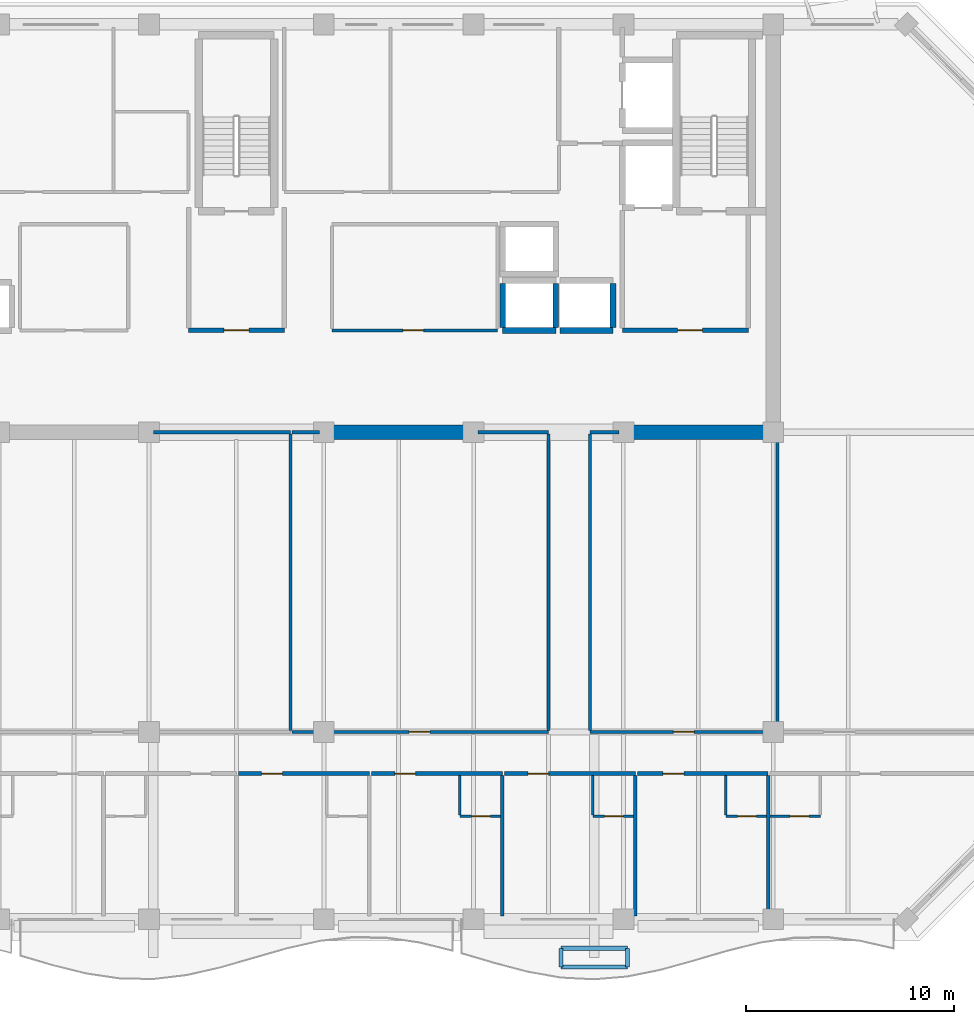
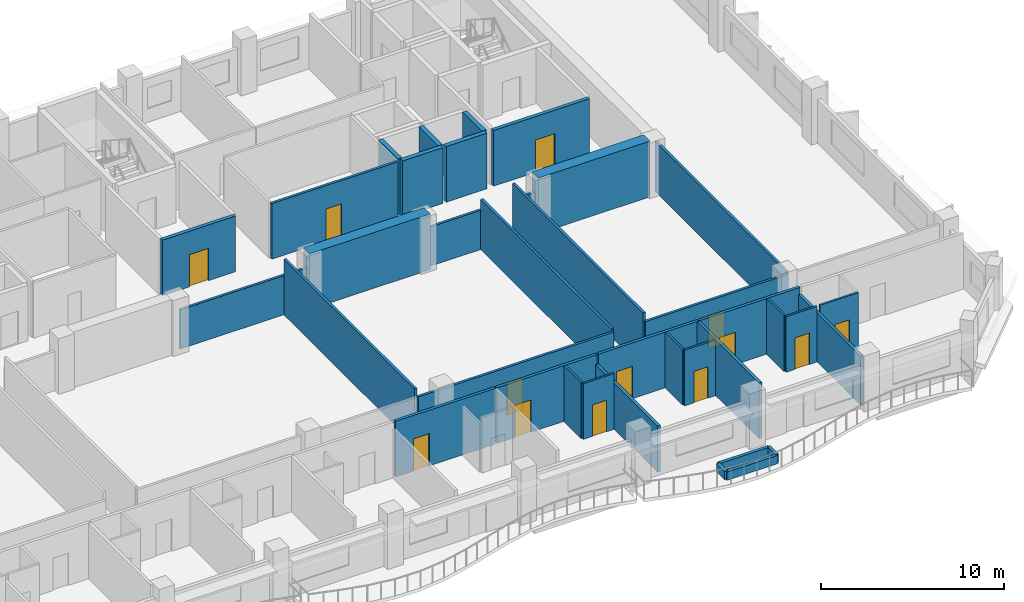
# One storey, part 5 of 11: 38 walls, 13 doors, 13 openings.
"""IFC4 building model written with IfcOpenShell, lengths in metres."""

from ifc_helpers import new_model, si_unit, direction, frame, frame_2d, origin, place, context, subcontext, project, spatial, rectangle, extrude, material, layer, layer_set, type_object, element, fill, save


model = new_model("IFC4")

# Units and contexts
model_context = context("Model", 3, precision=1e-05, world=origin(), true_north=direction((0.0, 1.0)))
body_context = subcontext(model_context, "Body", "Model", "MODEL_VIEW")
ifc_project = project(units=[si_unit("LENGTHUNIT", "METRE"), si_unit("AREAUNIT", "SQUARE_METRE"), si_unit("VOLUMEUNIT", "CUBIC_METRE"), si_unit("PLANEANGLEUNIT", "RADIAN"), si_unit("MASSUNIT", "GRAM", prefix="KILO")], contexts=[model_context])

# Site, building, storey
site_placement = place(None, origin())
site = spatial("IfcSite", under=ifc_project, at=site_placement, CompositionType="ELEMENT")
building_placement = place(site_placement, origin())
building = spatial("IfcBuilding", under=site, at=building_placement, Name="Kaelvorn Grand Hotel", CompositionType="ELEMENT")
storey_placement = place(building_placement, frame((0.0, 0.0, 241.0)))
storey = spatial("IfcBuildingStorey", under=building, at=storey_placement, Name="L59", CompositionType="ELEMENT", Elevation=241.0)

# Walls
ifc_material_1 = material(Name="Concrete C50/60", Category="concrete")
ifc_layer_1 = layer(ifc_material_1, 0.699951171875)
ifc_layer_set_1 = layer_set([ifc_layer_1], Name="Concrete C50/60")
wall_type_1 = type_object("IfcWallType", Name="WL-CORE-700-C50", PredefinedType="SHEAR", material=ifc_layer_set_1)
wall_1_placement = place(storey_placement, frame((46.0, 29.39990234375, 0.0), z_axis=(0.0, 0.0, 1.0), x_axis=(1.0, 0.0, 0.0)))
element("IfcWall", 1, at=wall_1_placement, inside=storey, type_object=wall_type_1, Name="L59 Rear-Core Coupled Shear Pier S3", PredefinedType="SHEAR", context=body_context, shape_type="SweptSolid", body=[
    extrude(rectangle(XDim=7.60009765625, YDim=0.699951171875, at=frame_2d((3.800048828125, 0.0))), origin(), (0.0, 0.0, 1.0), 3.7099609375),
])
wall_2_placement = place(storey_placement, frame((60.39990234375, 29.39990234375, 0.0), z_axis=(0.0, 0.0, 1.0), x_axis=(1.0, 0.0, 0.0)))
element("IfcWall", 2, at=wall_2_placement, inside=storey, type_object=wall_type_1, Name="L59 Rear-Core Coupled Shear Pier S4", PredefinedType="SHEAR", context=body_context, shape_type="SweptSolid", body=[
    extrude(rectangle(XDim=7.045166015625, YDim=0.699951171875, at=frame_2d((3.5224609375, 0.0))), origin(), (0.0, 0.0, 1.0), 3.7099609375),
])

# Wall, opening, door
ifc_material_2 = material(Name="Moisture-Resistant Tile & Stud Board")
ifc_layer_2 = layer(ifc_material_2, 0.125)
ifc_layer_set_2 = layer_set([ifc_layer_2], Name="Moisture-Resistant Tile & Stud Board")
wall_type_2 = type_object("IfcWallType", Name="WL-PART-125-WET", PredefinedType="PARTITIONING", material=ifc_layer_set_2)
wall_3_placement = place(storey_placement, frame((52.739990234375, 10.949951171875, 0.0), z_axis=(0.0, 0.0, 1.0), x_axis=(1.0, 0.0, 0.0)))
wall_3 = element("IfcWall", 3, at=wall_3_placement, inside=storey, type_object=wall_type_2, Name="L59 En-suite Bathroom L59-07 S Partition", PredefinedType="PARTITIONING", context=body_context, shape_type="SweptSolid", body=[
    extrude(rectangle(XDim=1.945068359375, YDim=0.125, at=frame_2d((0.97265625, 0.0))), origin(), (0.0, 0.0, 1.0), 3.7099609375),
])
opening_1_placement = place(wall_3_placement, frame((0.570068359375, 0.0, 0.0)))
opening_1 = element("IfcOpeningElement", 4, at=opening_1_placement, cuts=wall_3, Name="Opening DI4", PredefinedType="OPENING", context=body_context, shape_type="SweptSolid", body=[
    extrude(rectangle(XDim=0.89990234375, YDim=2.10009765625, at=frame_2d((0.449951171875, 1.050048828125))), frame((0.0, 0.072509765625, 0.0), z_axis=(0.0, -1.0, 0.0), x_axis=(1.0, 0.0, 0.0)), (0.0, 0.0, 1.0), 0.14501953125),
])
ifc_material_3 = material(Name="Timber Veneer Leaf", Category="wood")
door_type_1 = type_object("IfcDoorType", Name="DR-INT-BATH-900x2100", OperationType="NOTDEFINED", PredefinedType="DOOR", material=ifc_material_3)
door_1_placement = place(opening_1_placement, origin())
door_1 = element("IfcDoor", 5, at=door_1_placement, inside=storey, type_object=door_type_1, Name="L59 En-suite Bathroom L59-07 Door", OperationType="SINGLE_SWING_RIGHT", OverallHeight=2.10009765625, OverallWidth=0.89990234375, PredefinedType="DOOR", context=body_context, shape_type="SweptSolid", body=[
    extrude(rectangle(XDim=0.89990234375, YDim=2.10009765625, at=frame_2d((0.449951171875, 1.050048828125))), frame((0.0, 0.02490234375, 0.0), z_axis=(0.0, -1.0, 0.0), x_axis=(1.0, 0.0, 0.0)), (0.0, 0.0, 1.0), 0.050048828125),
])
fill(opening_1, door_1)

# Wall
wall_4_placement = place(storey_placement, frame((52.739990234375, 11.017578125, 0.0), z_axis=(0.0, 0.0, 1.0), x_axis=(0.0, 1.0, 0.0)))
element("IfcWall", 6, at=wall_4_placement, inside=storey, type_object=wall_type_2, Name="L59 En-suite Bathroom L59-07 W Partition", PredefinedType="PARTITIONING", context=body_context, shape_type="SweptSolid", body=[
    extrude(rectangle(XDim=1.887451171875, YDim=0.125, at=frame_2d((0.94384765625, 0.0))), origin(), (0.0, 0.0, 1.0), 3.7099609375),
])

# Wall, opening, door
wall_5_placement = place(storey_placement, frame((59.1298828125, 10.949951171875, 0.0), z_axis=(0.0, 0.0, 1.0), x_axis=(1.0, 0.0, 0.0)))
wall_5 = element("IfcWall", 7, at=wall_5_placement, inside=storey, type_object=wall_type_2, Name="L59 En-suite Bathroom L59-08 S Partition", PredefinedType="PARTITIONING", context=body_context, shape_type="SweptSolid", body=[
    extrude(rectangle(XDim=1.945068359375, YDim=0.125, at=frame_2d((0.97265625, 0.0))), origin(), (0.0, 0.0, 1.0), 3.7099609375),
])
opening_2_placement = place(wall_5_placement, frame((0.570068359375, 0.0, 0.0)))
opening_2 = element("IfcOpeningElement", 8, at=opening_2_placement, cuts=wall_5, Name="Opening DI4", PredefinedType="OPENING", context=body_context, shape_type="SweptSolid", body=[
    extrude(rectangle(XDim=0.89990234375, YDim=2.10009765625, at=frame_2d((0.449951171875, 1.050048828125))), frame((0.0, 0.072509765625, 0.0), z_axis=(0.0, -1.0, 0.0), x_axis=(1.0, 0.0, 0.0)), (0.0, 0.0, 1.0), 0.14501953125),
])
door_2_placement = place(opening_2_placement, origin())
door_2 = element("IfcDoor", 9, at=door_2_placement, inside=storey, type_object=door_type_1, Name="L59 En-suite Bathroom L59-08 Door", OperationType="SINGLE_SWING_RIGHT", OverallHeight=2.10009765625, OverallWidth=0.89990234375, PredefinedType="DOOR", context=body_context, shape_type="SweptSolid", body=[
    extrude(rectangle(XDim=0.89990234375, YDim=2.10009765625, at=frame_2d((0.449951171875, 1.050048828125))), frame((0.0, 0.02490234375, 0.0), z_axis=(0.0, -1.0, 0.0), x_axis=(1.0, 0.0, 0.0)), (0.0, 0.0, 1.0), 0.050048828125),
])
fill(opening_2, door_2)

# Wall
wall_6_placement = place(storey_placement, frame((59.1298828125, 11.017578125, 0.0), z_axis=(0.0, 0.0, 1.0), x_axis=(0.0, 1.0, 0.0)))
element("IfcWall", 10, at=wall_6_placement, inside=storey, type_object=wall_type_2, Name="L59 En-suite Bathroom L59-08 W Partition", PredefinedType="PARTITIONING", context=body_context, shape_type="SweptSolid", body=[
    extrude(rectangle(XDim=1.887451171875, YDim=0.125, at=frame_2d((0.94384765625, 0.0))), origin(), (0.0, 0.0, 1.0), 3.7099609375),
])

# Wall, opening, door
wall_7_placement = place(storey_placement, frame((65.52001953125, 10.949951171875, 0.0), z_axis=(0.0, 0.0, 1.0), x_axis=(1.0, 0.0, 0.0)))
wall_7 = element("IfcWall", 11, at=wall_7_placement, inside=storey, type_object=wall_type_2, Name="L59 En-suite Bathroom L59-09 S Partition", PredefinedType="PARTITIONING", context=body_context, shape_type="SweptSolid", body=[
    extrude(rectangle(XDim=1.945068359375, YDim=0.125, at=frame_2d((0.97265625, 0.0))), origin(), (0.0, 0.0, 1.0), 3.7099609375),
])
opening_3_placement = place(wall_7_placement, frame((0.570068359375, 0.0, 0.0)))
opening_3 = element("IfcOpeningElement", 12, at=opening_3_placement, cuts=wall_7, Name="Opening DI4", PredefinedType="OPENING", context=body_context, shape_type="SweptSolid", body=[
    extrude(rectangle(XDim=0.89990234375, YDim=2.10009765625, at=frame_2d((0.449951171875, 1.050048828125))), frame((0.0, 0.072509765625, 0.0), z_axis=(0.0, -1.0, 0.0), x_axis=(1.0, 0.0, 0.0)), (0.0, 0.0, 1.0), 0.14501953125),
])
door_3_placement = place(opening_3_placement, origin())
door_3 = element("IfcDoor", 13, at=door_3_placement, inside=storey, type_object=door_type_1, Name="L59 En-suite Bathroom L59-09 Door", OperationType="SINGLE_SWING_RIGHT", OverallHeight=2.10009765625, OverallWidth=0.89990234375, PredefinedType="DOOR", context=body_context, shape_type="SweptSolid", body=[
    extrude(rectangle(XDim=0.89990234375, YDim=2.10009765625, at=frame_2d((0.449951171875, 1.050048828125))), frame((0.0, 0.02490234375, 0.0), z_axis=(0.0, -1.0, 0.0), x_axis=(1.0, 0.0, 0.0)), (0.0, 0.0, 1.0), 0.050048828125),
])
fill(opening_3, door_3)

# Wall
wall_8_placement = place(storey_placement, frame((65.52001953125, 11.017578125, 0.0), z_axis=(0.0, 0.0, 1.0), x_axis=(0.0, 1.0, 0.0)))
element("IfcWall", 14, at=wall_8_placement, inside=storey, type_object=wall_type_2, Name="L59 En-suite Bathroom L59-09 W Partition", PredefinedType="PARTITIONING", context=body_context, shape_type="SweptSolid", body=[
    extrude(rectangle(XDim=1.887451171875, YDim=0.125, at=frame_2d((0.94384765625, 0.0))), origin(), (0.0, 0.0, 1.0), 3.7099609375),
])

# Wall, opening, door
wall_9_placement = place(storey_placement, frame((67.655029296875, 10.949951171875, 0.0), z_axis=(0.0, 0.0, 1.0), x_axis=(1.0, 0.0, 0.0)))
wall_9 = element("IfcWall", 15, at=wall_9_placement, inside=storey, type_object=wall_type_2, Name="L59 En-suite Bathroom L59-10 S Partition", PredefinedType="PARTITIONING", context=body_context, shape_type="SweptSolid", body=[
    extrude(rectangle(XDim=2.405029296875, YDim=0.125, at=frame_2d((1.20263671875, 0.0))), origin(), (0.0, 0.0, 1.0), 3.7099609375),
])
opening_4_placement = place(wall_9_placement, frame((0.955078125, 0.0, 0.0)))
opening_4 = element("IfcOpeningElement", 16, at=opening_4_placement, cuts=wall_9, Name="Opening DI4", PredefinedType="OPENING", context=body_context, shape_type="SweptSolid", body=[
    extrude(rectangle(XDim=0.89990234375, YDim=2.10009765625, at=frame_2d((0.449951171875, 1.050048828125))), frame((0.0, 0.072509765625, 0.0), z_axis=(0.0, -1.0, 0.0), x_axis=(1.0, 0.0, 0.0)), (0.0, 0.0, 1.0), 0.14501953125),
])
door_4_placement = place(opening_4_placement, origin())
door_4 = element("IfcDoor", 17, at=door_4_placement, inside=storey, type_object=door_type_1, Name="L59 En-suite Bathroom L59-10 Door", OperationType="SINGLE_SWING_RIGHT", OverallHeight=2.10009765625, OverallWidth=0.89990234375, PredefinedType="DOOR", context=body_context, shape_type="SweptSolid", body=[
    extrude(rectangle(XDim=0.89990234375, YDim=2.10009765625, at=frame_2d((0.449951171875, 1.050048828125))), frame((0.0, 0.02490234375, 0.0), z_axis=(0.0, -1.0, 0.0), x_axis=(1.0, 0.0, 0.0)), (0.0, 0.0, 1.0), 0.050048828125),
])
fill(opening_4, door_4)

ifc_material_4 = material(Name="Acoustic Gypsum & Stud Partition")
ifc_layer_3 = layer(ifc_material_4, 0.14990234375)
ifc_layer_set_3 = layer_set([ifc_layer_3], Name="Acoustic Gypsum & Stud Partition")
wall_type_3 = type_object("IfcWallType", Name="WL-PART-150-EI60", PredefinedType="PARTITIONING", material=ifc_layer_set_3)
wall_10_placement = place(storey_placement, frame((46.60009765625, 34.300048828125, 0.0), z_axis=(0.0, 0.0, 1.0), x_axis=(1.0, 0.0, 0.0)))
wall_10 = element("IfcWall", 18, at=wall_10_placement, inside=storey, type_object=wall_type_3, Name="L59 Sky Concierge & Butler Pantry Lounge S Partition", PredefinedType="PARTITIONING", context=body_context, shape_type="SweptSolid", body=[
    extrude(rectangle(XDim=7.949951171875, YDim=0.14990234375, at=frame_2d((3.97509765625, 0.0))), origin(), (0.0, 0.0, 1.0), 3.7099609375),
])
opening_5_placement = place(wall_10_placement, frame((3.39990234375, 0.0, 0.0)))
opening_5 = element("IfcOpeningElement", 19, at=opening_5_placement, cuts=wall_10, Name="Opening DI3", PredefinedType="OPENING", context=body_context, shape_type="SweptSolid", body=[
    extrude(rectangle(XDim=1.0, YDim=2.14990234375, at=frame_2d((0.5, 1.074951171875))), frame((0.0, 0.0849609375, 0.0), z_axis=(0.0, -1.0, 0.0), x_axis=(1.0, 0.0, 0.0)), (0.0, 0.0, 1.0), 0.169921875),
])
ifc_material_5 = material(Name="Timber Veneer Fire Leaf", Category="wood")
door_type_2 = type_object("IfcDoorType", Name="DR-INT-GUEST-1000x2150", OperationType="NOTDEFINED", PredefinedType="DOOR", material=ifc_material_5)
door_5_placement = place(opening_5_placement, origin())
door_5 = element("IfcDoor", 20, at=door_5_placement, inside=storey, type_object=door_type_2, Name="L59 Sky Concierge & Butler Pantry Lounge Door", OperationType="SINGLE_SWING_LEFT", OverallHeight=2.14990234375, OverallWidth=1.0, PredefinedType="DOOR", context=body_context, shape_type="SweptSolid", body=[
    extrude(rectangle(XDim=1.0, YDim=2.14990234375, at=frame_2d((0.5, 1.074951171875))), frame((0.0, 0.02490234375, 0.0), z_axis=(0.0, -1.0, 0.0), x_axis=(1.0, 0.0, 0.0)), (0.0, 0.0, 1.0), 0.050048828125),
])
fill(opening_5, door_5)

# Walls
wall_11_placement = place(storey_placement, frame((38.010009765625, 29.39990234375, 0.0), z_axis=(0.0, 0.0, 1.0), x_axis=(1.0, 0.0, 0.0)))
element("IfcWall", 21, at=wall_11_placement, inside=storey, type_object=wall_type_3, Name="L59 Guest Butler Kitchen N Partition (2)", PredefinedType="PARTITIONING", context=body_context, shape_type="SweptSolid", body=[
    extrude(rectangle(XDim=6.590087890625, YDim=0.14990234375, at=frame_2d((3.294921875, 0.0))), origin(), (0.0, 0.0, 1.0), 2.610107421875),
])
wall_12_placement = place(storey_placement, frame((44.60009765625, 15.080078125, 0.0), z_axis=(0.0, 0.0, 1.0), x_axis=(0.0, 1.0, 0.0)))
element("IfcWall", 22, at=wall_12_placement, inside=storey, type_object=wall_type_3, Name="L59 Guest Butler Kitchen E Partition", PredefinedType="PARTITIONING", context=body_context, shape_type="SweptSolid", body=[
    extrude(rectangle(XDim=14.239990234375, YDim=0.14990234375, at=frame_2d((7.1201171875, 0.0))), origin(), (0.0, 0.0, 1.0), 3.7099609375),
])

# Wall, opening, door
wall_13_placement = place(storey_placement, frame((44.679931640625, 15.0, 0.0), z_axis=(0.0, 0.0, 1.0), x_axis=(1.0, 0.0, 0.0)))
wall_13 = element("IfcWall", 23, at=wall_13_placement, inside=storey, type_object=wall_type_3, Name="L59 Suite Living Room S Partition", PredefinedType="PARTITIONING", context=body_context, shape_type="SweptSolid", body=[
    extrude(rectangle(XDim=12.320068359375, YDim=0.14990234375, at=frame_2d((6.16015625, 0.0))), origin(), (0.0, 0.0, 1.0), 3.2099609375),
])
opening_6_placement = place(wall_13_placement, frame((5.6201171875, 0.0, 0.0)))
opening_6 = element("IfcOpeningElement", 24, at=opening_6_placement, cuts=wall_13, Name="Opening DI3", PredefinedType="OPENING", context=body_context, shape_type="SweptSolid", body=[
    extrude(rectangle(XDim=1.0, YDim=2.14990234375, at=frame_2d((0.5, 1.074951171875))), frame((0.0, 0.0849609375, 0.0), z_axis=(0.0, -1.0, 0.0), x_axis=(1.0, 0.0, 0.0)), (0.0, 0.0, 1.0), 0.169921875),
])
door_6_placement = place(opening_6_placement, origin())
door_6 = element("IfcDoor", 25, at=door_6_placement, inside=storey, type_object=door_type_2, Name="L59 Suite Living Room Door", OperationType="SINGLE_SWING_RIGHT", OverallHeight=2.14990234375, OverallWidth=1.0, PredefinedType="DOOR", context=body_context, shape_type="SweptSolid", body=[
    extrude(rectangle(XDim=1.0, YDim=2.14990234375, at=frame_2d((0.5, 1.074951171875))), frame((0.0, 0.02490234375, 0.0), z_axis=(0.0, -1.0, 0.0), x_axis=(1.0, 0.0, 0.0)), (0.0, 0.0, 1.0), 0.050048828125),
])
fill(opening_6, door_6)

# Walls
wall_14_placement = place(storey_placement, frame((44.679931640625, 29.39990234375, 0.0), z_axis=(0.0, 0.0, 1.0), x_axis=(1.0, 0.0, 0.0)))
element("IfcWall", 26, at=wall_14_placement, inside=storey, type_object=wall_type_3, Name="L59 Suite Living Room N Partition (1)", PredefinedType="PARTITIONING", context=body_context, shape_type="SweptSolid", body=[
    extrude(rectangle(XDim=1.31005859375, YDim=0.14990234375, at=frame_2d((0.655029296875, 0.0))), origin(), (0.0, 0.0, 1.0), 2.610107421875),
])
wall_15_placement = place(storey_placement, frame((53.610107421875, 29.39990234375, 0.0), z_axis=(0.0, 0.0, 1.0), x_axis=(1.0, 0.0, 0.0)))
element("IfcWall", 27, at=wall_15_placement, inside=storey, type_object=wall_type_3, Name="L59 Suite Living Room N Partition (2)", PredefinedType="PARTITIONING", context=body_context, shape_type="SweptSolid", body=[
    extrude(rectangle(XDim=3.389892578125, YDim=0.14990234375, at=frame_2d((1.69482421875, 0.0))), origin(), (0.0, 0.0, 1.0), 2.610107421875),
])
wall_16_placement = place(storey_placement, frame((57.0, 15.080078125, 0.0), z_axis=(0.0, 0.0, 1.0), x_axis=(0.0, 1.0, 0.0)))
element("IfcWall", 28, at=wall_16_placement, inside=storey, type_object=wall_type_3, Name="L59 Suite Living Room E Partition", PredefinedType="PARTITIONING", context=body_context, shape_type="SweptSolid", body=[
    extrude(rectangle(XDim=14.239990234375, YDim=0.14990234375, at=frame_2d((7.1201171875, 0.0))), origin(), (0.0, 0.0, 1.0), 3.35009765625),
])

# Wall, opening, door
wall_17_placement = place(storey_placement, frame((59.0, 15.0, 0.0), z_axis=(0.0, 0.0, 1.0), x_axis=(1.0, 0.0, 0.0)))
wall_17 = element("IfcWall", 29, at=wall_17_placement, inside=storey, type_object=wall_type_3, Name="L59 Business Secretariat Office S Partition", PredefinedType="PARTITIONING", context=body_context, shape_type="SweptSolid", body=[
    extrude(rectangle(XDim=9.0, YDim=0.14990234375, at=frame_2d((4.5, 0.0))), origin(), (0.0, 0.0, 1.0), 3.2099609375),
])
opening_7_placement = place(wall_17_placement, frame((4.0, 0.0, 0.0)))
opening_7 = element("IfcOpeningElement", 30, at=opening_7_placement, cuts=wall_17, Name="Opening DI3", PredefinedType="OPENING", context=body_context, shape_type="SweptSolid", body=[
    extrude(rectangle(XDim=1.0, YDim=2.14990234375, at=frame_2d((0.5, 1.074951171875))), frame((0.0, 0.0849609375, 0.0), z_axis=(0.0, -1.0, 0.0), x_axis=(1.0, 0.0, 0.0)), (0.0, 0.0, 1.0), 0.169921875),
])
door_7_placement = place(opening_7_placement, origin())
door_7 = element("IfcDoor", 31, at=door_7_placement, inside=storey, type_object=door_type_2, Name="L59 Business Secretariat Office Door", OperationType="SINGLE_SWING_LEFT", OverallHeight=2.14990234375, OverallWidth=1.0, PredefinedType="DOOR", context=body_context, shape_type="SweptSolid", body=[
    extrude(rectangle(XDim=1.0, YDim=2.14990234375, at=frame_2d((0.5, 1.074951171875))), frame((0.0, 0.02490234375, 0.0), z_axis=(0.0, -1.0, 0.0), x_axis=(1.0, 0.0, 0.0)), (0.0, 0.0, 1.0), 0.050048828125),
])
fill(opening_7, door_7)

# Walls
wall_18_placement = place(storey_placement, frame((59.0, 29.39990234375, 0.0), z_axis=(0.0, 0.0, 1.0), x_axis=(1.0, 0.0, 0.0)))
element("IfcWall", 32, at=wall_18_placement, inside=storey, type_object=wall_type_3, Name="L59 Business Secretariat Office N Partition", PredefinedType="PARTITIONING", context=body_context, shape_type="SweptSolid", body=[
    extrude(rectangle(XDim=1.389892578125, YDim=0.14990234375, at=frame_2d((0.69482421875, 0.0))), origin(), (0.0, 0.0, 1.0), 2.610107421875),
])
wall_19_placement = place(storey_placement, frame((59.0, 15.080078125, 0.0), z_axis=(0.0, 0.0, 1.0), x_axis=(0.0, 1.0, 0.0)))
element("IfcWall", 33, at=wall_19_placement, inside=storey, type_object=wall_type_3, Name="L59 Business Secretariat Office W Partition", PredefinedType="PARTITIONING", context=body_context, shape_type="SweptSolid", body=[
    extrude(rectangle(XDim=14.239990234375, YDim=0.14990234375, at=frame_2d((7.1201171875, 0.0))), origin(), (0.0, 0.0, 1.0), 3.7099609375),
])
wall_20_placement = place(storey_placement, frame((68.0, 15.080078125, 0.0), z_axis=(0.0, 0.0, 1.0), x_axis=(0.0, 1.0, 0.0)))
element("IfcWall", 34, at=wall_20_placement, inside=storey, type_object=wall_type_3, Name="L59 Business Secretariat Office E Partition", PredefinedType="PARTITIONING", context=body_context, shape_type="SweptSolid", body=[
    extrude(rectangle(XDim=14.309814453125, YDim=0.14990234375, at=frame_2d((7.15478515625, 0.0))), origin(), (0.0, 0.0, 1.0), 3.35009765625),
])

# Wall, opening, door
ifc_layer_4 = layer(ifc_material_4, 0.179931640625)
ifc_layer_set_4 = layer_set([ifc_layer_4], Name="Acoustic Gypsum & Stud Partition")
wall_type_4 = type_object("IfcWallType", Name="WL-PART-180-EI60", PredefinedType="PARTITIONING", material=ifc_layer_set_4)
wall_21_placement = place(storey_placement, frame((42.094970703125, 13.0, 0.0), z_axis=(0.0, 0.0, 1.0), x_axis=(1.0, 0.0, 0.0)))
wall_21 = element("IfcWall", 35, at=wall_21_placement, inside=storey, type_object=wall_type_4, Name="L59 Ambassador Guest Room L59-06 N Partition", PredefinedType="PARTITIONING", context=body_context, shape_type="SweptSolid", body=[
    extrude(rectangle(XDim=6.294921875, YDim=0.179931640625, at=frame_2d((3.1474609375, 0.0))), origin(), (0.0, 0.0, 1.0), 3.7099609375),
])
opening_8_placement = place(wall_21_placement, frame((1.114990234375, 0.0, 0.0)))
opening_8 = element("IfcOpeningElement", 36, at=opening_8_placement, cuts=wall_21, Name="Opening DI3", PredefinedType="OPENING", context=body_context, shape_type="SweptSolid", body=[
    extrude(rectangle(XDim=1.0, YDim=2.14990234375, at=frame_2d((0.5, 1.074951171875))), frame((0.0, 0.10009765625, 0.0), z_axis=(0.0, -1.0, 0.0), x_axis=(1.0, 0.0, 0.0)), (0.0, 0.0, 1.0), 0.199951171875),
])
door_8_placement = place(opening_8_placement, origin())
door_8 = element("IfcDoor", 37, at=door_8_placement, inside=storey, type_object=door_type_2, Name="L59 Ambassador Guest Room L59-06 Door", OperationType="SINGLE_SWING_LEFT", OverallHeight=2.14990234375, OverallWidth=1.0, PredefinedType="DOOR", context=body_context, shape_type="SweptSolid", body=[
    extrude(rectangle(XDim=1.0, YDim=2.14990234375, at=frame_2d((0.5, 1.074951171875))), frame((0.0, 0.02490234375, 0.0), z_axis=(0.0, -1.0, 0.0), x_axis=(1.0, 0.0, 0.0)), (0.0, 0.0, 1.0), 0.050048828125),
])
fill(opening_8, door_8)

wall_22_placement = place(storey_placement, frame((48.485107421875, 13.0, 0.0), z_axis=(0.0, 0.0, 1.0), x_axis=(1.0, 0.0, 0.0)))
wall_22 = element("IfcWall", 38, at=wall_22_placement, inside=storey, type_object=wall_type_4, Name="L59 Ambassador Guest Room L59-07 N Partition", PredefinedType="PARTITIONING", context=body_context, shape_type="SweptSolid", body=[
    extrude(rectangle(XDim=6.294921875, YDim=0.179931640625, at=frame_2d((3.1474609375, 0.0))), origin(), (0.0, 0.0, 1.0), 3.7099609375),
])
opening_9_placement = place(wall_22_placement, frame((1.1298828125, 0.0, 0.0)))
opening_9 = element("IfcOpeningElement", 39, at=opening_9_placement, cuts=wall_22, Name="Opening DI3", PredefinedType="OPENING", context=body_context, shape_type="SweptSolid", body=[
    extrude(rectangle(XDim=1.0, YDim=2.14990234375, at=frame_2d((0.5, 1.074951171875))), frame((0.0, 0.10009765625, 0.0), z_axis=(0.0, -1.0, 0.0), x_axis=(1.0, 0.0, 0.0)), (0.0, 0.0, 1.0), 0.199951171875),
])
door_9_placement = place(opening_9_placement, origin())
door_9 = element("IfcDoor", 40, at=door_9_placement, inside=storey, type_object=door_type_2, Name="L59 Ambassador Guest Room L59-07 Door", OperationType="SINGLE_SWING_LEFT", OverallHeight=2.14990234375, OverallWidth=1.0, PredefinedType="DOOR", context=body_context, shape_type="SweptSolid", body=[
    extrude(rectangle(XDim=1.0, YDim=2.14990234375, at=frame_2d((0.5, 1.074951171875))), frame((0.0, 0.02490234375, 0.0), z_axis=(0.0, -1.0, 0.0), x_axis=(1.0, 0.0, 0.0)), (0.0, 0.0, 1.0), 0.050048828125),
])
fill(opening_9, door_9)

# Wall
wall_23_placement = place(storey_placement, frame((54.780029296875, 6.14990234375, 0.0), z_axis=(0.0, 0.0, 1.0), x_axis=(0.0, 1.0, 0.0)))
element("IfcWall", 41, at=wall_23_placement, inside=storey, type_object=wall_type_4, Name="L59 Ambassador Guest Room L59-07 E Partition", PredefinedType="PARTITIONING", context=body_context, shape_type="SweptSolid", body=[
    extrude(rectangle(XDim=6.755126953125, YDim=0.179931640625, at=frame_2d((3.37744140625, 0.0))), origin(), (0.0, 0.0, 1.0), 3.080078125),
])

# Wall, opening, door
wall_24_placement = place(storey_placement, frame((54.875, 13.0, 0.0), z_axis=(0.0, 0.0, 1.0), x_axis=(1.0, 0.0, 0.0)))
wall_24 = element("IfcWall", 42, at=wall_24_placement, inside=storey, type_object=wall_type_4, Name="L59 Ambassador Guest Room L59-08 N Partition", PredefinedType="PARTITIONING", context=body_context, shape_type="SweptSolid", body=[
    extrude(rectangle(XDim=6.294921875, YDim=0.179931640625, at=frame_2d((3.1474609375, 0.0))), origin(), (0.0, 0.0, 1.0), 3.7099609375),
])
opening_10_placement = place(wall_24_placement, frame((1.1298828125, 0.0, 0.0)))
opening_10 = element("IfcOpeningElement", 43, at=opening_10_placement, cuts=wall_24, Name="Opening DI3", PredefinedType="OPENING", context=body_context, shape_type="SweptSolid", body=[
    extrude(rectangle(XDim=1.0, YDim=2.14990234375, at=frame_2d((0.5, 1.074951171875))), frame((0.0, 0.10009765625, 0.0), z_axis=(0.0, -1.0, 0.0), x_axis=(1.0, 0.0, 0.0)), (0.0, 0.0, 1.0), 0.199951171875),
])
door_10_placement = place(opening_10_placement, origin())
door_10 = element("IfcDoor", 44, at=door_10_placement, inside=storey, type_object=door_type_2, Name="L59 Ambassador Guest Room L59-08 Door", OperationType="SINGLE_SWING_LEFT", OverallHeight=2.14990234375, OverallWidth=1.0, PredefinedType="DOOR", context=body_context, shape_type="SweptSolid", body=[
    extrude(rectangle(XDim=1.0, YDim=2.14990234375, at=frame_2d((0.5, 1.074951171875))), frame((0.0, 0.02490234375, 0.0), z_axis=(0.0, -1.0, 0.0), x_axis=(1.0, 0.0, 0.0)), (0.0, 0.0, 1.0), 0.050048828125),
])
fill(opening_10, door_10)

# Wall
wall_25_placement = place(storey_placement, frame((61.169921875, 6.14990234375, 0.0), z_axis=(0.0, 0.0, 1.0), x_axis=(0.0, 1.0, 0.0)))
element("IfcWall", 45, at=wall_25_placement, inside=storey, type_object=wall_type_4, Name="L59 Ambassador Guest Room L59-08 E Partition", PredefinedType="PARTITIONING", context=body_context, shape_type="SweptSolid", body=[
    extrude(rectangle(XDim=6.755126953125, YDim=0.179931640625, at=frame_2d((3.37744140625, 0.0))), origin(), (0.0, 0.0, 1.0), 3.7099609375),
])

# Wall, opening, door
wall_26_placement = place(storey_placement, frame((61.264892578125, 13.0, 0.0), z_axis=(0.0, 0.0, 1.0), x_axis=(1.0, 0.0, 0.0)))
wall_26 = element("IfcWall", 46, at=wall_26_placement, inside=storey, type_object=wall_type_4, Name="L59 Ambassador Guest Room L59-09 N Partition", PredefinedType="PARTITIONING", context=body_context, shape_type="SweptSolid", body=[
    extrude(rectangle(XDim=6.295166015625, YDim=0.179931640625, at=frame_2d((3.1474609375, 0.0))), origin(), (0.0, 0.0, 1.0), 3.7099609375),
])
opening_11_placement = place(wall_26_placement, frame((1.235107421875, 0.0, 0.0)))
opening_11 = element("IfcOpeningElement", 47, at=opening_11_placement, cuts=wall_26, Name="Opening DI3", PredefinedType="OPENING", context=body_context, shape_type="SweptSolid", body=[
    extrude(rectangle(XDim=1.0, YDim=2.14990234375, at=frame_2d((0.5, 1.074951171875))), frame((0.0, 0.10009765625, 0.0), z_axis=(0.0, -1.0, 0.0), x_axis=(1.0, 0.0, 0.0)), (0.0, 0.0, 1.0), 0.199951171875),
])
door_11_placement = place(opening_11_placement, origin())
door_11 = element("IfcDoor", 48, at=door_11_placement, inside=storey, type_object=door_type_2, Name="L59 Ambassador Guest Room L59-09 Door", OperationType="SINGLE_SWING_LEFT", OverallHeight=2.14990234375, OverallWidth=1.0, PredefinedType="DOOR", context=body_context, shape_type="SweptSolid", body=[
    extrude(rectangle(XDim=1.0, YDim=2.14990234375, at=frame_2d((0.5, 1.074951171875))), frame((0.0, 0.02490234375, 0.0), z_axis=(0.0, -1.0, 0.0), x_axis=(1.0, 0.0, 0.0)), (0.0, 0.0, 1.0), 0.050048828125),
])
fill(opening_11, door_11)

# Wall
wall_27_placement = place(storey_placement, frame((67.56005859375, 6.14990234375, 0.0), z_axis=(0.0, 0.0, 1.0), x_axis=(0.0, 1.0, 0.0)))
element("IfcWall", 49, at=wall_27_placement, inside=storey, type_object=wall_type_4, Name="L59 Ambassador Guest Room L59-09 E Partition", PredefinedType="PARTITIONING", context=body_context, shape_type="SweptSolid", body=[
    extrude(rectangle(XDim=6.755126953125, YDim=0.179931640625, at=frame_2d((3.37744140625, 0.0))), origin(), (0.0, 0.0, 1.0), 3.260009765625),
])

# Wall, opening, door
ifc_material_6 = material(Name="Concrete C40/50", Category="concrete")
ifc_layer_5 = layer(ifc_material_6, 0.219970703125)
ifc_layer_set_5 = layer_set([ifc_layer_5], Name="Concrete C40/50")
wall_type_5 = type_object("IfcWallType", Name="WL-PART-220-EI120", PredefinedType="PARTITIONING", material=ifc_layer_set_5)
wall_28_placement = place(storey_placement, frame((60.550048828125, 34.300048828125, 0.0), z_axis=(0.0, 0.0, 1.0), x_axis=(1.0, 0.0, 0.0)))
wall_28 = element("IfcWall", 50, at=wall_28_placement, inside=storey, type_object=wall_type_5, Name="L59 Firefighting Lift Lobby 2 S Partition", PredefinedType="PARTITIONING", context=body_context, shape_type="SweptSolid", body=[
    extrude(rectangle(XDim=6.050048828125, YDim=0.219970703125, at=frame_2d((3.02490234375, 0.0))), origin(), (0.0, 0.0, 1.0), 3.7099609375),
])
opening_12_placement = place(wall_28_placement, frame((2.64990234375, 0.0, 0.0)))
opening_12 = element("IfcOpeningElement", 51, at=opening_12_placement, cuts=wall_28, Name="Opening DI2", PredefinedType="OPENING", context=body_context, shape_type="SweptSolid", body=[
    extrude(rectangle(XDim=1.199951171875, YDim=2.14990234375, at=frame_2d((0.60009765625, 1.074951171875))), frame((0.0, 0.1201171875, 0.0), z_axis=(0.0, -1.0, 0.0), x_axis=(1.0, 0.0, 0.0)), (0.0, 0.0, 1.0), 0.239990234375),
])
door_type_3 = type_object("IfcDoorType", Name="DR-INT-FFLOB-1200x2150", OperationType="NOTDEFINED", PredefinedType="DOOR", material=ifc_material_5)
door_12_placement = place(opening_12_placement, origin())
door_12 = element("IfcDoor", 52, at=door_12_placement, inside=storey, type_object=door_type_3, Name="L59 Firefighting Lift Lobby 2 Door", OperationType="SINGLE_SWING_LEFT", OverallHeight=2.14990234375, OverallWidth=1.199951171875, PredefinedType="DOOR", context=body_context, shape_type="SweptSolid", body=[
    extrude(rectangle(XDim=1.199951171875, YDim=2.14990234375, at=frame_2d((0.60009765625, 1.074951171875))), frame((0.0, 0.02490234375, 0.0), z_axis=(0.0, -1.0, 0.0), x_axis=(1.0, 0.0, 0.0)), (0.0, 0.0, 1.0), 0.050048828125),
])
fill(opening_12, door_12)

wall_29_placement = place(storey_placement, frame((39.699951171875, 34.300048828125, 0.0), z_axis=(0.0, 0.0, 1.0), x_axis=(1.0, 0.0, 0.0)))
wall_29 = element("IfcWall", 53, at=wall_29_placement, inside=storey, type_object=wall_type_5, Name="L59 Central Stair Escape Vestibule S Partition", PredefinedType="PARTITIONING", context=body_context, shape_type="SweptSolid", body=[
    extrude(rectangle(XDim=4.60009765625, YDim=0.219970703125, at=frame_2d((2.300048828125, 0.0))), origin(), (0.0, 0.0, 1.0), 3.7099609375),
])
opening_13_placement = place(wall_29_placement, frame((1.699951171875, 0.0, 0.0)))
opening_13 = element("IfcOpeningElement", 54, at=opening_13_placement, cuts=wall_29, Name="Opening DI2", PredefinedType="OPENING", context=body_context, shape_type="SweptSolid", body=[
    extrude(rectangle(XDim=1.199951171875, YDim=2.14990234375, at=frame_2d((0.60009765625, 1.074951171875))), frame((0.0, 0.1201171875, 0.0), z_axis=(0.0, -1.0, 0.0), x_axis=(1.0, 0.0, 0.0)), (0.0, 0.0, 1.0), 0.239990234375),
])
door_13_placement = place(opening_13_placement, origin())
door_13 = element("IfcDoor", 55, at=door_13_placement, inside=storey, type_object=door_type_3, Name="L59 Central Stair Escape Vestibule Door", OperationType="SINGLE_SWING_RIGHT", OverallHeight=2.14990234375, OverallWidth=1.199951171875, PredefinedType="DOOR", context=body_context, shape_type="SweptSolid", body=[
    extrude(rectangle(XDim=1.199951171875, YDim=2.14990234375, at=frame_2d((0.60009765625, 1.074951171875))), frame((0.0, 0.02490234375, 0.0), z_axis=(0.0, -1.0, 0.0), x_axis=(1.0, 0.0, 0.0)), (0.0, 0.0, 1.0), 0.050048828125),
])
fill(opening_13, door_13)

# Walls
ifc_layer_6 = layer(ifc_material_1, 0.280029296875)
ifc_layer_set_6 = layer_set([ifc_layer_6], Name="Concrete C50/60")
wall_type_6 = type_object("IfcWallType", Name="WL-SHAFT-280-C50", PredefinedType="SHEAR", material=ifc_layer_set_6)
wall_30_placement = place(storey_placement, frame((54.800048828125, 34.300048828125, 0.0), z_axis=(0.0, 0.0, 1.0), x_axis=(1.0, 0.0, 0.0)))
element("IfcWall", 56, at=wall_30_placement, inside=storey, type_object=wall_type_6, Name="L59 Lift OL-1 Shaft South Wall", PredefinedType="SHEAR", context=body_context, shape_type="SweptSolid", body=[
    extrude(rectangle(XDim=2.550048828125, YDim=0.280029296875, at=frame_2d((1.27490234375, 0.0))), origin(), (0.0, 0.0, 1.0), 3.7099609375),
])
for number, where, z_axis, x_axis, name in (
    (57, (54.800048828125, 34.445068359375, 0.0), (0.0, 0.0, 1.0), (0.0, 1.0, 0.0), "L59 Lift OL-1 Shaft West Wall"),
    (58, (57.35009765625, 34.445068359375, 0.0), (0.0, 0.0, 1.0), (0.0, 1.0, 0.0), "L59 Lift OL-1 Shaft East Wall"),
):
    element("IfcWall", number, at=place(storey_placement, frame(where, z_axis=z_axis, x_axis=x_axis)), inside=storey, type_object=wall_type_6, Name=name, PredefinedType="SHEAR", context=body_context, shape_type="SweptSolid", body=[
        extrude(rectangle(XDim=2.10986328125, YDim=0.280029296875, at=frame_2d((1.054931640625, 0.0))), origin(), (0.0, 0.0, 1.0), 3.7099609375),
    ])
wall_31_placement = place(storey_placement, frame((57.550048828125, 34.300048828125, 0.0), z_axis=(0.0, 0.0, 1.0), x_axis=(1.0, 0.0, 0.0)))
element("IfcWall", 59, at=wall_31_placement, inside=storey, type_object=wall_type_6, Name="L59 Lift OL-2 Shaft South Wall", PredefinedType="SHEAR", context=body_context, shape_type="SweptSolid", body=[
    extrude(rectangle(XDim=2.550048828125, YDim=0.280029296875, at=frame_2d((1.27490234375, 0.0))), origin(), (0.0, 0.0, 1.0), 3.7099609375),
])
wall_32_placement = place(storey_placement, frame((60.10009765625, 34.445068359375, 0.0), z_axis=(0.0, 0.0, 1.0), x_axis=(0.0, 1.0, 0.0)))
element("IfcWall", 60, at=wall_32_placement, inside=storey, type_object=wall_type_6, Name="L59 Lift OL-2 Shaft East Wall", PredefinedType="SHEAR", context=body_context, shape_type="SweptSolid", body=[
    extrude(rectangle(XDim=2.10986328125, YDim=0.280029296875, at=frame_2d((1.054931640625, 0.0))), origin(), (0.0, 0.0, 1.0), 3.7099609375),
])
ifc_layer_7 = layer(ifc_material_6, 0.199951171875)
ifc_layer_set_7 = layer_set([ifc_layer_7], Name="Concrete C40/50")
wall_type_7 = type_object("IfcWallType", Name="WL-TREE-PLANTER-200", PredefinedType="PARAPET", material=ifc_layer_set_7)
wall_33_placement = place(storey_placement, frame((57.60009765625, 3.699951171875, 0.0), z_axis=(0.0, 0.0, 1.0), x_axis=(1.0, 0.0, 0.0)))
element("IfcWall", 61, at=wall_33_placement, inside=storey, type_object=wall_type_7, Name="L59 Planted Balcony Structural TREE PLANTER Kerb 1-S", PredefinedType="PARAPET", context=body_context, shape_type="SweptSolid", body=[
    extrude(rectangle(XDim=3.199951171875, YDim=0.199951171875, at=frame_2d((1.60009765625, 0.0))), origin(), (0.0, 0.0, 1.0), 0.550048828125),
])
wall_34_placement = place(storey_placement, frame((60.800048828125, 3.699951171875, 0.0), z_axis=(0.0, 0.0, 1.0), x_axis=(0.0, 1.0, 0.0)))
element("IfcWall", 62, at=wall_34_placement, inside=storey, type_object=wall_type_7, Name="L59 Planted Balcony Structural TREE PLANTER Kerb 1-E", PredefinedType="PARAPET", context=body_context, shape_type="SweptSolid", body=[
    extrude(rectangle(XDim=0.900146484375, YDim=0.199951171875, at=frame_2d((0.4501953125, 0.0))), origin(), (0.0, 0.0, 1.0), 0.550048828125),
])
wall_35_placement = place(storey_placement, frame((60.800048828125, 4.60009765625, 0.0), z_axis=(0.0, 0.0, 1.0), x_axis=(-1.0, 0.0, 0.0)))
element("IfcWall", 63, at=wall_35_placement, inside=storey, type_object=wall_type_7, Name="L59 Planted Balcony Structural TREE PLANTER Kerb 1-N", PredefinedType="PARAPET", context=body_context, shape_type="SweptSolid", body=[
    extrude(rectangle(XDim=3.199951171875, YDim=0.199951171875, at=frame_2d((1.60009765625, 0.0))), origin(), (0.0, 0.0, 1.0), 0.550048828125),
])
wall_36_placement = place(storey_placement, frame((57.60009765625, 4.60009765625, 0.0), z_axis=(0.0, 0.0, 1.0), x_axis=(0.0, -1.0, 0.0)))
element("IfcWall", 64, at=wall_36_placement, inside=storey, type_object=wall_type_7, Name="L59 Planted Balcony Structural TREE PLANTER Kerb 1-W", PredefinedType="PARAPET", context=body_context, shape_type="SweptSolid", body=[
    extrude(rectangle(XDim=0.900146484375, YDim=0.199951171875, at=frame_2d((0.4501953125, 0.0))), origin(), (0.0, 0.0, 1.0), 0.550048828125),
])

save(model, "model.ifc")
